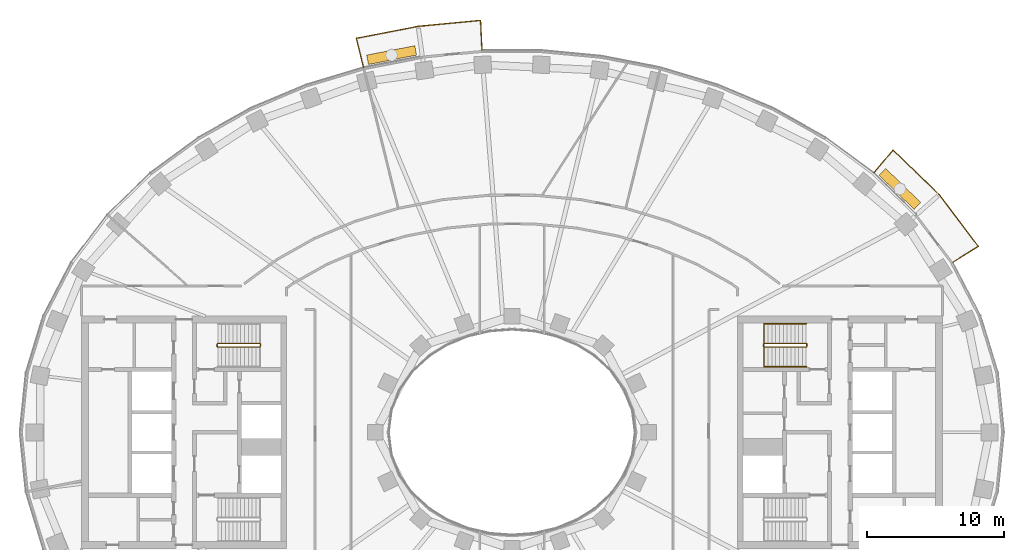
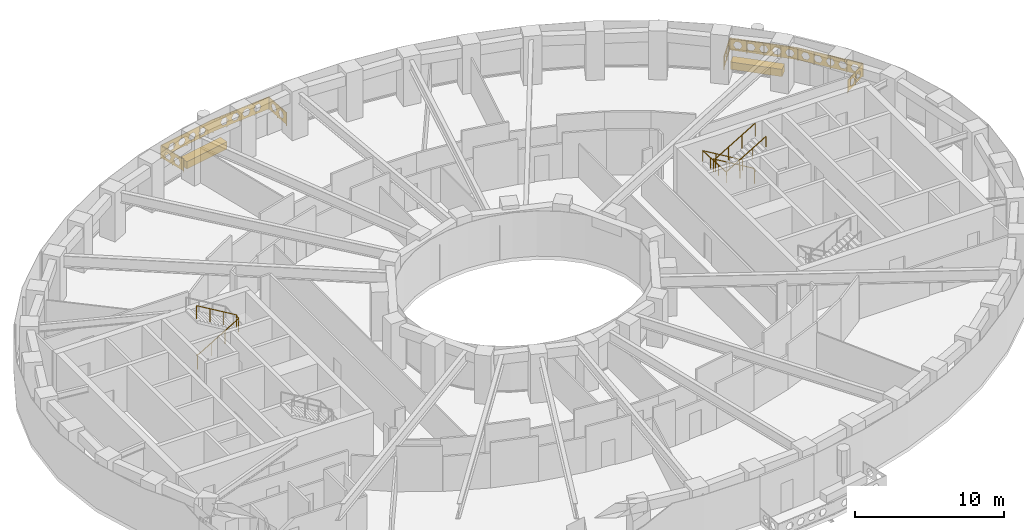
# One storey, part 15 of 16: 5 railings, 2 coverings.
"""IFC4 building model written with IfcOpenShell, lengths in metres."""

from ifc_helpers import new_model, si_unit, direction, frame, origin, origin_2d, place, context, subcontext, project, spatial, polyline, rectangle, outline, extrude, material, type_object, element, save


model = new_model("IFC4")

# Units and contexts
model_context = context("Model", 3, precision=1e-05, world=origin(), true_north=direction((0.0, 1.0)))
body_context = subcontext(model_context, "Body", "Model", "MODEL_VIEW")
ifc_project = project(units=[si_unit("LENGTHUNIT", "METRE"), si_unit("AREAUNIT", "SQUARE_METRE"), si_unit("VOLUMEUNIT", "CUBIC_METRE"), si_unit("PLANEANGLEUNIT", "RADIAN"), si_unit("MASSUNIT", "GRAM", prefix="KILO")], contexts=[model_context])

# Site, building, storey
site_placement = place(None, origin())
site = spatial("IfcSite", under=ifc_project, at=site_placement, CompositionType="ELEMENT")
building_placement = place(site_placement, origin())
building = spatial("IfcBuilding", under=site, at=building_placement, Name="Noorbagh Ring Tower", CompositionType="ELEMENT")
storey_placement = place(building_placement, frame((0.0, 0.0, 132.0)))
storey = spatial("IfcBuildingStorey", under=building, at=storey_placement, Name="L30", CompositionType="ELEMENT", Elevation=132.0)

# Railings
ifc_material_1 = material(Name="Stainless steel", Category="steel")
railing_type_1 = type_object("IfcRailingType", Name="CORE-STAIR-GUARD", PredefinedType="GUARDRAIL", material=ifc_material_1)
railing_1_placement = place(storey_placement, frame((-21.580078125, 6.300048828125, 0.0)))
element("IfcRailing", 1, at=railing_1_placement, inside=storey, type_object=railing_type_1, Name="L30 ST1 stair guard", PredefinedType="GUARDRAIL", context=body_context, shape_type="SweptSolid", body=[
    extrude(rectangle(XDim=0.048095703125, YDim=0.048095703125, at=origin_2d()), frame((0.0, 0.0, 1.076171875), z_axis=(0.0, 1.0, 0.0), x_axis=(-1.0, 0.0, 0.0)), (0.0, 0.0, 1.0), 0.14990234375),
    extrude(rectangle(XDim=0.048095703125, YDim=0.048095703125, at=origin_2d()), frame((0.0, 0.14990234375, 1.076171875), z_axis=(0.188775798145, -0.754182335027, 0.628945707965), x_axis=(0.970072785993, 0.242814311512, 0.0)), (0.0, 0.0, 1.0), 0.26513671875),
    extrude(rectangle(XDim=0.048095703125, YDim=0.048095703125, at=origin_2d()), frame((0.050048828125, -0.050048828125, 1.24267578125), z_axis=(0.859308565015, 0.0, 0.511457515432), x_axis=(0.0, 1.0, 0.0)), (0.0, 0.0, 1.0), 3.58447265625),
    extrude(rectangle(XDim=0.048095703125, YDim=0.048095703125, at=origin_2d()), frame((3.130126953125, -0.050048828125, 3.076171875), z_axis=(0.707106781187, 0.707106781187, 0.0), x_axis=(-0.707106781187, 0.707106781187, 0.0)), (0.0, 0.0, 1.0), 0.07080078125),
    extrude(rectangle(XDim=0.048095703125, YDim=0.048095703125, at=origin_2d()), frame((3.18017578125, 0.0, 3.076171875), z_axis=(0.0, 1.0, 0.0), x_axis=(-1.0, 0.0, 0.0)), (0.0, 0.0, 1.0), 0.14990234375),
    extrude(rectangle(XDim=0.048095703125, YDim=0.048095703125, at=origin_2d()), frame((3.18017578125, 0.14990234375, 3.076171875), z_axis=(-0.27628659633, 0.27628659633, 0.920506074601), x_axis=(-0.707106781187, -0.707106781187, 0.0)), (0.0, 0.0, 1.0), 0.18115234375),
    extrude(rectangle(XDim=0.048095703125, YDim=0.048095703125, at=origin_2d()), frame((3.130126953125, 0.199951171875, 3.24267578125), z_axis=(-0.859308565015, 0.0, 0.511457515432), x_axis=(0.0, -1.0, 0.0)), (0.0, 0.0, 1.0), 3.58447265625),
    extrude(rectangle(XDim=0.0419921875, YDim=0.0419921875, at=origin_2d()), origin(), (0.0, 0.0, 1.0), 1.052001953125),
    extrude(rectangle(XDim=0.0419921875, YDim=0.0419921875, at=origin_2d()), frame((1.07666015625, -0.050048828125, 0.77783203125)), (0.0, 0.0, 1.0), 1.052001953125),
    extrude(rectangle(XDim=0.0419921875, YDim=0.0419921875, at=origin_2d()), frame((2.103515625, -0.050048828125, 1.388916015625)), (0.0, 0.0, 1.0), 1.052001953125),
    extrude(rectangle(XDim=0.0419921875, YDim=0.0419921875, at=origin_2d()), frame((3.130126953125, -0.050048828125, 2.0)), (0.0, 0.0, 1.0), 1.052001953125),
    extrude(rectangle(XDim=0.0419921875, YDim=0.0419921875, at=origin_2d()), frame((3.130126953125, 0.199951171875, 2.166748046875)), (0.0, 0.0, 1.0), 1.052001953125),
    extrude(rectangle(XDim=0.0419921875, YDim=0.0419921875, at=origin_2d()), frame((2.103515625, 0.199951171875, 2.77783203125)), (0.0, 0.0, 1.0), 1.052001953125),
    extrude(rectangle(XDim=0.0419921875, YDim=0.0419921875, at=origin_2d()), frame((1.07666015625, 0.199951171875, 3.388916015625)), (0.0, 0.0, 1.0), 1.052001953125),
    extrude(rectangle(XDim=0.0419921875, YDim=0.0419921875, at=origin_2d()), frame((0.050048828125, 0.199951171875, 4.0)), (0.0, 0.0, 1.0), 1.052001953125),
])
railing_2_placement = place(storey_placement, frame((21.580078125, 6.449951171875, 0.0)))
element("IfcRailing", 2, at=railing_2_placement, inside=storey, type_object=railing_type_1, Name="L30 ST3 stair guard", PredefinedType="GUARDRAIL", context=body_context, shape_type="SweptSolid", body=[
    extrude(rectangle(XDim=0.048095703125, YDim=0.048095703125, at=origin_2d()), frame((0.0, 0.0, 1.076171875), z_axis=(0.0, -1.0, 0.0), x_axis=(1.0, 0.0, 0.0)), (0.0, 0.0, 1.0), 0.14990234375),
    extrude(rectangle(XDim=0.048095703125, YDim=0.048095703125, at=origin_2d()), frame((0.0, -0.14990234375, 1.076171875), z_axis=(-0.188775798145, 0.754182335027, 0.628945707965), x_axis=(-0.970072785993, -0.242814311512, 0.0)), (0.0, 0.0, 1.0), 0.26513671875),
    extrude(rectangle(XDim=0.048095703125, YDim=0.048095703125, at=origin_2d()), frame((-0.050048828125, 0.050048828125, 1.24267578125), z_axis=(-0.859308565015, 0.0, 0.511457515432), x_axis=(0.0, -1.0, 0.0)), (0.0, 0.0, 1.0), 3.58447265625),
    extrude(rectangle(XDim=0.048095703125, YDim=0.048095703125, at=origin_2d()), frame((-3.130126953125, 0.050048828125, 3.076171875), z_axis=(-0.707106781187, -0.707106781187, 0.0), x_axis=(0.707106781187, -0.707106781187, 0.0)), (0.0, 0.0, 1.0), 0.07080078125),
    extrude(rectangle(XDim=0.048095703125, YDim=0.048095703125, at=origin_2d()), frame((-3.18017578125, 0.0, 3.076171875), z_axis=(0.0, -1.0, 0.0), x_axis=(1.0, 0.0, 0.0)), (0.0, 0.0, 1.0), 0.14990234375),
    extrude(rectangle(XDim=0.048095703125, YDim=0.048095703125, at=origin_2d()), frame((-3.18017578125, -0.14990234375, 3.076171875), z_axis=(0.27628659633, -0.27628659633, 0.920506074601), x_axis=(0.707106781187, 0.707106781187, 0.0)), (0.0, 0.0, 1.0), 0.18115234375),
    extrude(rectangle(XDim=0.048095703125, YDim=0.048095703125, at=origin_2d()), frame((-3.130126953125, -0.199951171875, 3.24267578125), z_axis=(0.859308565015, 0.0, 0.511457515432), x_axis=(0.0, 1.0, 0.0)), (0.0, 0.0, 1.0), 3.58447265625),
    extrude(rectangle(XDim=0.0419921875, YDim=0.0419921875, at=origin_2d()), origin(), (0.0, 0.0, 1.0), 1.052001953125),
    extrude(rectangle(XDim=0.0419921875, YDim=0.0419921875, at=origin_2d()), frame((-1.07666015625, 0.050048828125, 0.77783203125)), (0.0, 0.0, 1.0), 1.052001953125),
    extrude(rectangle(XDim=0.0419921875, YDim=0.0419921875, at=origin_2d()), frame((-2.103515625, 0.050048828125, 1.388916015625)), (0.0, 0.0, 1.0), 1.052001953125),
    extrude(rectangle(XDim=0.0419921875, YDim=0.0419921875, at=origin_2d()), frame((-3.130126953125, 0.050048828125, 2.0)), (0.0, 0.0, 1.0), 1.052001953125),
    extrude(rectangle(XDim=0.0419921875, YDim=0.0419921875, at=origin_2d()), frame((-3.130126953125, -0.199951171875, 2.166748046875)), (0.0, 0.0, 1.0), 1.052001953125),
    extrude(rectangle(XDim=0.0419921875, YDim=0.0419921875, at=origin_2d()), frame((-2.103515625, -0.199951171875, 2.77783203125)), (0.0, 0.0, 1.0), 1.052001953125),
    extrude(rectangle(XDim=0.0419921875, YDim=0.0419921875, at=origin_2d()), frame((-1.07666015625, -0.199951171875, 3.388916015625)), (0.0, 0.0, 1.0), 1.052001953125),
    extrude(rectangle(XDim=0.0419921875, YDim=0.0419921875, at=origin_2d()), frame((-0.050048828125, -0.199951171875, 4.0)), (0.0, 0.0, 1.0), 1.052001953125),
])
ifc_material_2 = material(Name="Stainless steel", Category="steel")
railing_type_2 = type_object("IfcRailingType", Name="CORE-STAIR-HANDRAIL", PredefinedType="HANDRAIL", material=ifc_material_2)
railing_3_placement = place(storey_placement, frame((21.530029296875, 7.949951171875, 0.166748046875)))
element("IfcRailing", 3, at=railing_3_placement, inside=storey, type_object=railing_type_2, Name="L30 ST3 stair handrail", PredefinedType="HANDRAIL", context=body_context, shape_type="SweptSolid", body=[
    extrude(rectangle(XDim=0.048095703125, YDim=0.048095703125, at=origin_2d()), frame((0.0, 0.0, 0.8759765625), z_axis=(-0.859308565015, 0.0, 0.511457515432), x_axis=(0.0, -1.0, 0.0)), (0.0, 0.0, 1.0), 3.58447265625),
    extrude(rectangle(XDim=0.048095703125, YDim=0.048095703125, at=origin_2d()), frame((-3.080078125, 0.0, 2.708984375), z_axis=(0.0, -0.998601747152, 0.052863509014), x_axis=(1.0, 0.0, 0.0)), (0.0, 0.0, 1.0), 3.154296875),
    extrude(rectangle(XDim=0.048095703125, YDim=0.048095703125, at=origin_2d()), frame((-3.080078125, -3.14990234375, 2.8759765625), z_axis=(0.859308565015, 0.0, 0.511457515432), x_axis=(0.0, 1.0, 0.0)), (0.0, 0.0, 1.0), 3.58447265625),
    extrude(rectangle(XDim=0.0419921875, YDim=0.0419921875, at=origin_2d()), origin(), (0.0, 0.0, 1.0), 0.851806640625),
    extrude(rectangle(XDim=0.0419921875, YDim=0.0419921875, at=origin_2d()), frame((-1.026611328125, 0.0, 0.611083984375)), (0.0, 0.0, 1.0), 0.851806640625),
    extrude(rectangle(XDim=0.0419921875, YDim=0.0419921875, at=origin_2d()), frame((-2.053466796875, 0.0, 1.22216796875)), (0.0, 0.0, 1.0), 0.851806640625),
    extrude(rectangle(XDim=0.0419921875, YDim=0.0419921875, at=origin_2d()), frame((-3.080078125, 0.0, 1.833251953125)), (0.0, 0.0, 1.0), 0.851806640625),
    extrude(rectangle(XDim=0.0419921875, YDim=0.0419921875, at=origin_2d()), frame((-3.080078125, -1.050048828125, 1.888916015625)), (0.0, 0.0, 1.0), 0.851806640625),
    extrude(rectangle(XDim=0.0419921875, YDim=0.0419921875, at=origin_2d()), frame((-3.080078125, -2.099853515625, 1.9443359375)), (0.0, 0.0, 1.0), 0.851806640625),
    extrude(rectangle(XDim=0.0419921875, YDim=0.0419921875, at=origin_2d()), frame((-3.080078125, -3.14990234375, 2.0)), (0.0, 0.0, 1.0), 0.851806640625),
    extrude(rectangle(XDim=0.0419921875, YDim=0.0419921875, at=origin_2d()), frame((-2.053466796875, -3.14990234375, 2.611083984375)), (0.0, 0.0, 1.0), 0.851806640625),
    extrude(rectangle(XDim=0.0419921875, YDim=0.0419921875, at=origin_2d()), frame((-1.026611328125, -3.14990234375, 3.22216796875)), (0.0, 0.0, 1.0), 0.851806640625),
    extrude(rectangle(XDim=0.0419921875, YDim=0.0419921875, at=origin_2d()), frame((0.0, -3.14990234375, 3.833251953125)), (0.0, 0.0, 1.0), 0.851806640625),
])
ifc_material_3 = material(Name="Steel S275 black powder-coated", Category="steel")
railing_type_3 = type_object("IfcRailingType", Name="ENV-GUARD", PredefinedType="GUARDRAIL", material=ifc_material_3)
railing_4_placement = place(storey_placement, frame((32.255126953125, 12.434814453125, 0.0)))
element("IfcRailing", 4, at=railing_4_placement, inside=storey, type_object=railing_type_3, Name="Balcony guard BN01", PredefinedType="GUARDRAIL", context=body_context, shape_type="SweptSolid", body=[
    extrude(rectangle(XDim=0.048095703125, YDim=0.048095703125, at=origin_2d()), frame((0.0, 0.0, 1.076171875), z_axis=(0.844852397829, 0.534999463442, 0.0), x_axis=(-0.534999463442, 0.844852397829, 0.0)), (0.0, 0.0, 1.0), 2.207763671875),
    extrude(rectangle(XDim=0.048095703125, YDim=0.048095703125, at=origin_2d()), frame((1.865234375, 1.18115234375, 1.076171875), z_axis=(-0.604001613322, 0.796983093362, 0.0), x_axis=(-0.796983093362, -0.604001613322, 0.0)), (0.0, 0.0, 1.0), 4.7353515625),
    extrude(rectangle(XDim=0.048095703125, YDim=0.048095703125, at=origin_2d()), frame((-0.994873046875, 4.955078125, 1.076171875), z_axis=(-0.717212632946, 0.696854388766, 0.0), x_axis=(-0.696854388766, -0.717212632946, 0.0)), (0.0, 0.0, 1.0), 4.700927734375),
    extrude(rectangle(XDim=0.048095703125, YDim=0.048095703125, at=origin_2d()), frame((-4.366455078125, 8.23095703125, 1.076171875), z_axis=(-0.646413574048, -0.762987215677, 0.0), x_axis=(0.762987215677, -0.646413574048, 0.0)), (0.0, 0.0, 1.0), 2.205322265625),
    extrude(rectangle(XDim=0.0419921875, YDim=0.0419921875, at=origin_2d()), origin(), (0.0, 0.0, 1.0), 1.052001953125),
    extrude(rectangle(XDim=0.0419921875, YDim=0.0419921875, at=origin_2d()), frame((0.9326171875, 0.590576171875, 0.0)), (0.0, 0.0, 1.0), 1.052001953125),
    extrude(rectangle(XDim=0.0419921875, YDim=0.0419921875, at=origin_2d()), frame((1.865234375, 1.18115234375, 0.0)), (0.0, 0.0, 1.0), 1.052001953125),
    extrude(rectangle(XDim=0.0419921875, YDim=0.0419921875, at=origin_2d()), frame((1.150146484375, 2.12451171875, 0.0)), (0.0, 0.0, 1.0), 1.052001953125),
    extrude(rectangle(XDim=0.0419921875, YDim=0.0419921875, at=origin_2d()), frame((0.43505859375, 3.068115234375, 0.0)), (0.0, 0.0, 1.0), 1.052001953125),
    extrude(rectangle(XDim=0.0419921875, YDim=0.0419921875, at=origin_2d()), frame((-0.27978515625, 4.01171875, 0.0)), (0.0, 0.0, 1.0), 1.052001953125),
    extrude(rectangle(XDim=0.0419921875, YDim=0.0419921875, at=origin_2d()), frame((-0.994873046875, 4.955078125, 0.0)), (0.0, 0.0, 1.0), 1.052001953125),
    extrude(rectangle(XDim=0.0419921875, YDim=0.0419921875, at=origin_2d()), frame((-1.837890625, 5.77392578125, 0.0)), (0.0, 0.0, 1.0), 1.052001953125),
    extrude(rectangle(XDim=0.0419921875, YDim=0.0419921875, at=origin_2d()), frame((-2.6806640625, 6.593017578125, 0.0)), (0.0, 0.0, 1.0), 1.052001953125),
    extrude(rectangle(XDim=0.0419921875, YDim=0.0419921875, at=origin_2d()), frame((-3.5234375, 7.412109375, 0.0)), (0.0, 0.0, 1.0), 1.052001953125),
    extrude(rectangle(XDim=0.0419921875, YDim=0.0419921875, at=origin_2d()), frame((-4.366455078125, 8.23095703125, 0.0)), (0.0, 0.0, 1.0), 1.052001953125),
    extrude(rectangle(XDim=0.0419921875, YDim=0.0419921875, at=origin_2d()), frame((-5.0791015625, 7.3896484375, 0.0)), (0.0, 0.0, 1.0), 1.052001953125),
    extrude(rectangle(XDim=0.0419921875, YDim=0.0419921875, at=origin_2d()), frame((-5.7919921875, 6.54833984375, 0.0)), (0.0, 0.0, 1.0), 1.052001953125),
    extrude(outline(polyline([(0.0, 0.10009765625), (2.207763671875, 0.10009765625), (2.207763671875, 1.031982421875), (0.0, 1.031982421875), (0.0, 0.10009765625)]), holes=[polyline([(0.9638671875, 0.56591796875), (0.808837890625, 0.83447265625), (0.498779296875, 0.83447265625), (0.343994140625, 0.56591796875), (0.498779296875, 0.297607421875), (0.808837890625, 0.297607421875), (0.9638671875, 0.56591796875)]), polyline([(1.86376953125, 0.56591796875), (1.708984375, 0.83447265625), (1.39892578125, 0.83447265625), (1.243896484375, 0.56591796875), (1.39892578125, 0.297607421875), (1.708984375, 0.297607421875), (1.86376953125, 0.56591796875)])]), frame((-0.00537109375, 0.008544921875, 0.0), z_axis=(0.534999463442, -0.844852397829, 0.0), x_axis=(0.844852397829, 0.534999463442, 0.0)), (0.0, 0.0, 1.0), 0.02001953125),
    extrude(outline(polyline([(0.0, 0.10009765625), (4.7353515625, 0.10009765625), (4.7353515625, 1.031982421875), (0.0, 1.031982421875), (0.0, 0.10009765625)]), holes=[polyline([(0.877685546875, 0.56591796875), (0.72265625, 0.83447265625), (0.41259765625, 0.83447265625), (0.257568359375, 0.56591796875), (0.41259765625, 0.297607421875), (0.72265625, 0.297607421875), (0.877685546875, 0.56591796875)]), polyline([(1.777587890625, 0.56591796875), (1.62255859375, 0.83447265625), (1.312744140625, 0.83447265625), (1.15771484375, 0.56591796875), (1.312744140625, 0.297607421875), (1.62255859375, 0.297607421875), (1.777587890625, 0.56591796875)]), polyline([(2.677734375, 0.56591796875), (2.522705078125, 0.83447265625), (2.212646484375, 0.83447265625), (2.0576171875, 0.56591796875), (2.212646484375, 0.297607421875), (2.522705078125, 0.297607421875), (2.677734375, 0.56591796875)]), polyline([(3.57763671875, 0.56591796875), (3.422607421875, 0.83447265625), (3.112548828125, 0.83447265625), (2.95751953125, 0.56591796875), (3.112548828125, 0.297607421875), (3.422607421875, 0.297607421875), (3.57763671875, 0.56591796875)]), polyline([(4.4775390625, 0.56591796875), (4.32275390625, 0.83447265625), (4.0126953125, 0.83447265625), (3.857666015625, 0.56591796875), (4.0126953125, 0.297607421875), (4.32275390625, 0.297607421875), (4.4775390625, 0.56591796875)])]), frame((1.857177734375, 1.175048828125, 0.0), z_axis=(0.796983093362, 0.604001613322, 0.0), x_axis=(-0.604001613322, 0.796983093362, 0.0)), (0.0, 0.0, 1.0), 0.02001953125),
    extrude(outline(polyline([(0.0, 0.10009765625), (4.700927734375, 0.10009765625), (4.700927734375, 1.031982421875), (0.0, 1.031982421875), (0.0, 0.10009765625)]), holes=[polyline([(0.860595703125, 0.56591796875), (0.70556640625, 0.83447265625), (0.3955078125, 0.83447265625), (0.240478515625, 0.56591796875), (0.3955078125, 0.297607421875), (0.70556640625, 0.297607421875), (0.860595703125, 0.56591796875)]), polyline([(1.760498046875, 0.56591796875), (1.60546875, 0.83447265625), (1.29541015625, 0.83447265625), (1.140380859375, 0.56591796875), (1.29541015625, 0.297607421875), (1.60546875, 0.297607421875), (1.760498046875, 0.56591796875)]), polyline([(2.660400390625, 0.56591796875), (2.50537109375, 0.83447265625), (2.195556640625, 0.83447265625), (2.04052734375, 0.56591796875), (2.195556640625, 0.297607421875), (2.50537109375, 0.297607421875), (2.660400390625, 0.56591796875)]), polyline([(3.560546875, 0.56591796875), (3.405517578125, 0.83447265625), (3.095458984375, 0.83447265625), (2.9404296875, 0.56591796875), (3.095458984375, 0.297607421875), (3.405517578125, 0.297607421875), (3.560546875, 0.56591796875)]), polyline([(4.46044921875, 0.56591796875), (4.305419921875, 0.83447265625), (3.995361328125, 0.83447265625), (3.840576171875, 0.56591796875), (3.995361328125, 0.297607421875), (4.305419921875, 0.297607421875), (4.46044921875, 0.56591796875)])]), frame((-1.001953125, 4.947998046875, 0.0), z_axis=(0.696854388766, 0.717212632946, 0.0), x_axis=(-0.717212632946, 0.696854388766, 0.0)), (0.0, 0.0, 1.0), 0.02001953125),
    extrude(outline(polyline([(0.0, 0.10009765625), (2.205322265625, 0.10009765625), (2.205322265625, 1.031982421875), (0.0, 1.031982421875), (0.0, 0.10009765625)]), holes=[polyline([(0.962646484375, 0.56591796875), (0.8076171875, 0.83447265625), (0.49755859375, 0.83447265625), (0.342529296875, 0.56591796875), (0.49755859375, 0.297607421875), (0.8076171875, 0.297607421875), (0.962646484375, 0.56591796875)]), polyline([(1.862548828125, 0.56591796875), (1.707763671875, 0.83447265625), (1.397705078125, 0.83447265625), (1.24267578125, 0.56591796875), (1.397705078125, 0.297607421875), (1.707763671875, 0.297607421875), (1.862548828125, 0.56591796875)])]), frame((-4.35888671875, 8.224609375, 0.0), z_axis=(-0.762987215677, 0.646413574048, 0.0), x_axis=(-0.646413574048, -0.762987215677, 0.0)), (0.0, 0.0, 1.0), 0.02001953125),
])
railing_5_placement = place(storey_placement, frame((-2.193115234375, 27.947998046875, 0.0)))
element("IfcRailing", 5, at=railing_5_placement, inside=storey, type_object=railing_type_3, Name="Balcony guard BN04", PredefinedType="GUARDRAIL", context=body_context, shape_type="SweptSolid", body=[
    extrude(rectangle(XDim=0.048095703125, YDim=0.048095703125, at=origin_2d()), frame((0.0, 0.0, 1.076171875), z_axis=(-0.047554616162, 0.998868639252, 0.0), x_axis=(-0.998868639252, -0.047554616162, 0.0)), (0.0, 0.0, 1.0), 2.202392578125),
    extrude(rectangle(XDim=0.048095703125, YDim=0.048095703125, at=origin_2d()), frame((-0.104736328125, 2.199951171875, 1.076171875), z_axis=(-0.995477555764, -0.094997031379, 0.0), x_axis=(0.094997031379, -0.995477555764, 0.0)), (0.0, 0.0, 1.0), 4.59765625),
    extrude(rectangle(XDim=0.048095703125, YDim=0.048095703125, at=origin_2d()), frame((-4.681640625, 1.76318359375, 1.076171875), z_axis=(-0.981625049064, -0.1908199755, 0.0), x_axis=(0.1908199755, -0.981625049064, 0.0)), (0.0, 0.0, 1.0), 4.603271484375),
    extrude(rectangle(XDim=0.048095703125, YDim=0.048095703125, at=origin_2d()), frame((-9.200439453125, 0.884765625, 1.076171875), z_axis=(0.239848558412, -0.970810315679, 0.0), x_axis=(0.970810315679, 0.239848558412, 0.0)), (0.0, 0.0, 1.0), 2.20263671875),
    extrude(rectangle(XDim=0.0419921875, YDim=0.0419921875, at=origin_2d()), origin(), (0.0, 0.0, 1.0), 1.052001953125),
    extrude(rectangle(XDim=0.0419921875, YDim=0.0419921875, at=origin_2d()), frame((-0.05224609375, 1.10009765625, 0.0)), (0.0, 0.0, 1.0), 1.052001953125),
    extrude(rectangle(XDim=0.0419921875, YDim=0.0419921875, at=origin_2d()), frame((-0.104736328125, 2.199951171875, 0.0)), (0.0, 0.0, 1.0), 1.052001953125),
    extrude(rectangle(XDim=0.0419921875, YDim=0.0419921875, at=origin_2d()), frame((-1.2490234375, 2.0908203125, 0.0)), (0.0, 0.0, 1.0), 1.052001953125),
    extrude(rectangle(XDim=0.0419921875, YDim=0.0419921875, at=origin_2d()), frame((-2.39306640625, 1.9814453125, 0.0)), (0.0, 0.0, 1.0), 1.052001953125),
    extrude(rectangle(XDim=0.0419921875, YDim=0.0419921875, at=origin_2d()), frame((-3.537353515625, 1.872314453125, 0.0)), (0.0, 0.0, 1.0), 1.052001953125),
    extrude(rectangle(XDim=0.0419921875, YDim=0.0419921875, at=origin_2d()), frame((-4.681640625, 1.76318359375, 0.0)), (0.0, 0.0, 1.0), 1.052001953125),
    extrude(rectangle(XDim=0.0419921875, YDim=0.0419921875, at=origin_2d()), frame((-5.811279296875, 1.54345703125, 0.0)), (0.0, 0.0, 1.0), 1.052001953125),
    extrude(rectangle(XDim=0.0419921875, YDim=0.0419921875, at=origin_2d()), frame((-6.94091796875, 1.323974609375, 0.0)), (0.0, 0.0, 1.0), 1.052001953125),
    extrude(rectangle(XDim=0.0419921875, YDim=0.0419921875, at=origin_2d()), frame((-8.07080078125, 1.1044921875, 0.0)), (0.0, 0.0, 1.0), 1.052001953125),
    extrude(rectangle(XDim=0.0419921875, YDim=0.0419921875, at=origin_2d()), frame((-9.200439453125, 0.884765625, 0.0)), (0.0, 0.0, 1.0), 1.052001953125),
    extrude(rectangle(XDim=0.0419921875, YDim=0.0419921875, at=origin_2d()), frame((-8.936279296875, -0.1845703125, 0.0)), (0.0, 0.0, 1.0), 1.052001953125),
    extrude(rectangle(XDim=0.0419921875, YDim=0.0419921875, at=origin_2d()), frame((-8.672119140625, -1.253662109375, 0.0)), (0.0, 0.0, 1.0), 1.052001953125),
    extrude(outline(polyline([(0.0, 0.10009765625), (2.202392578125, 0.10009765625), (2.202392578125, 1.031982421875), (0.0, 1.031982421875), (0.0, 0.10009765625)]), holes=[polyline([(0.961181640625, 0.56591796875), (0.80615234375, 0.83447265625), (0.496337890625, 0.83447265625), (0.34130859375, 0.56591796875), (0.496337890625, 0.297607421875), (0.80615234375, 0.297607421875), (0.961181640625, 0.56591796875)]), polyline([(1.861328125, 0.56591796875), (1.706298828125, 0.83447265625), (1.396240234375, 0.83447265625), (1.2412109375, 0.56591796875), (1.396240234375, 0.297607421875), (1.706298828125, 0.297607421875), (1.861328125, 0.56591796875)])]), frame((-0.010009765625, -0.00048828125, 0.0), z_axis=(0.998868639252, 0.047554616162, 0.0), x_axis=(-0.047554616162, 0.998868639252, 0.0)), (0.0, 0.0, 1.0), 0.02001953125),
    extrude(outline(polyline([(0.0, 0.10009765625), (4.59765625, 0.10009765625), (4.59765625, 1.031982421875), (0.0, 1.031982421875), (0.0, 0.10009765625)]), holes=[polyline([(1.2587890625, 0.56591796875), (1.103759765625, 0.83447265625), (0.7939453125, 0.83447265625), (0.638916015625, 0.56591796875), (0.7939453125, 0.297607421875), (1.103759765625, 0.297607421875), (1.2587890625, 0.56591796875)]), polyline([(2.158935546875, 0.56591796875), (2.00390625, 0.83447265625), (1.69384765625, 0.83447265625), (1.538818359375, 0.56591796875), (1.69384765625, 0.297607421875), (2.00390625, 0.297607421875), (2.158935546875, 0.56591796875)]), polyline([(3.058837890625, 0.56591796875), (2.90380859375, 0.83447265625), (2.59375, 0.83447265625), (2.43896484375, 0.56591796875), (2.59375, 0.297607421875), (2.90380859375, 0.297607421875), (3.058837890625, 0.56591796875)]), polyline([(3.958740234375, 0.56591796875), (3.803955078125, 0.83447265625), (3.493896484375, 0.83447265625), (3.3388671875, 0.56591796875), (3.493896484375, 0.297607421875), (3.803955078125, 0.297607421875), (3.958740234375, 0.56591796875)])]), frame((-0.103759765625, 2.18994140625, 0.0), z_axis=(-0.094997031379, 0.995477555764, 0.0), x_axis=(-0.995477555764, -0.094997031379, 0.0)), (0.0, 0.0, 1.0), 0.02001953125),
    extrude(outline(polyline([(0.0, 0.10009765625), (4.603271484375, 0.10009765625), (4.603271484375, 1.031982421875), (0.0, 1.031982421875), (0.0, 0.10009765625)]), holes=[polyline([(1.26171875, 0.56591796875), (1.106689453125, 0.83447265625), (0.796630859375, 0.83447265625), (0.6416015625, 0.56591796875), (0.796630859375, 0.297607421875), (1.106689453125, 0.297607421875), (1.26171875, 0.56591796875)]), polyline([(2.16162109375, 0.56591796875), (2.006591796875, 0.83447265625), (1.69677734375, 0.83447265625), (1.541748046875, 0.56591796875), (1.69677734375, 0.297607421875), (2.006591796875, 0.297607421875), (2.16162109375, 0.56591796875)]), polyline([(3.061767578125, 0.56591796875), (2.90673828125, 0.83447265625), (2.5966796875, 0.83447265625), (2.441650390625, 0.56591796875), (2.5966796875, 0.297607421875), (2.90673828125, 0.297607421875), (3.061767578125, 0.56591796875)]), polyline([(3.961669921875, 0.56591796875), (3.806640625, 0.83447265625), (3.49658203125, 0.83447265625), (3.341796875, 0.56591796875), (3.49658203125, 0.297607421875), (3.806640625, 0.297607421875), (3.961669921875, 0.56591796875)])]), frame((-4.6796875, 1.75341796875, 0.0), z_axis=(-0.1908199755, 0.981625049064, 0.0), x_axis=(-0.981625049064, -0.1908199755, 0.0)), (0.0, 0.0, 1.0), 0.02001953125),
    extrude(outline(polyline([(0.0, 0.10009765625), (2.20263671875, 0.10009765625), (2.20263671875, 1.031982421875), (0.0, 1.031982421875), (0.0, 0.10009765625)]), holes=[polyline([(0.96142578125, 0.56591796875), (0.806396484375, 0.83447265625), (0.496337890625, 0.83447265625), (0.34130859375, 0.56591796875), (0.496337890625, 0.297607421875), (0.806396484375, 0.297607421875), (0.96142578125, 0.56591796875)]), polyline([(1.861328125, 0.56591796875), (1.706298828125, 0.83447265625), (1.396240234375, 0.83447265625), (1.241455078125, 0.56591796875), (1.396240234375, 0.297607421875), (1.706298828125, 0.297607421875), (1.861328125, 0.56591796875)])]), frame((-9.190673828125, 0.88720703125, 0.0), z_axis=(-0.970810315679, -0.239848558412, 0.0), x_axis=(0.239848558412, -0.970810315679, 0.0)), (0.0, 0.0, 1.0), 0.02001953125),
])

# Coverings
ifc_material_4 = material(Name="Concrete C30/37 planter with soil", Category="concrete")
covering_type = type_object("IfcCoveringType", Name="ENV-PLANTER", PredefinedType="CLADDING", material=ifc_material_4)
covering_1_placement = place(storey_placement, frame((28.3837890625, 17.814208984375, 0.0), z_axis=(0.0, 0.0, 1.0), x_axis=(-0.717224548362, 0.696842125038, 0.0)))
element("IfcCovering", 6, at=covering_1_placement, inside=storey, type_object=covering_type, Name="PLANTER BN01", ObjectType="PLANTER", PredefinedType="CLADDING", context=body_context, shape_type="SweptSolid", body=[
    extrude(rectangle(XDim=3.584228515625, YDim=0.699951171875, at=origin_2d()), origin(), (0.0, 0.0, 1.0), 0.60009765625),
])
covering_2_placement = place(storey_placement, frame((-8.807861328125, 27.603515625, 0.0), z_axis=(0.0, 0.0, 1.0), x_axis=(-0.981624952922, -0.190820470077, 0.0)))
element("IfcCovering", 7, at=covering_2_placement, inside=storey, type_object=covering_type, Name="PLANTER BN04", ObjectType="PLANTER", PredefinedType="CLADDING", context=body_context, shape_type="SweptSolid", body=[
    extrude(rectangle(XDim=3.586181640625, YDim=0.699951171875, at=origin_2d()), origin(), (0.0, 0.0, 1.0), 0.60009765625),
])

save(model, "model.ifc")
